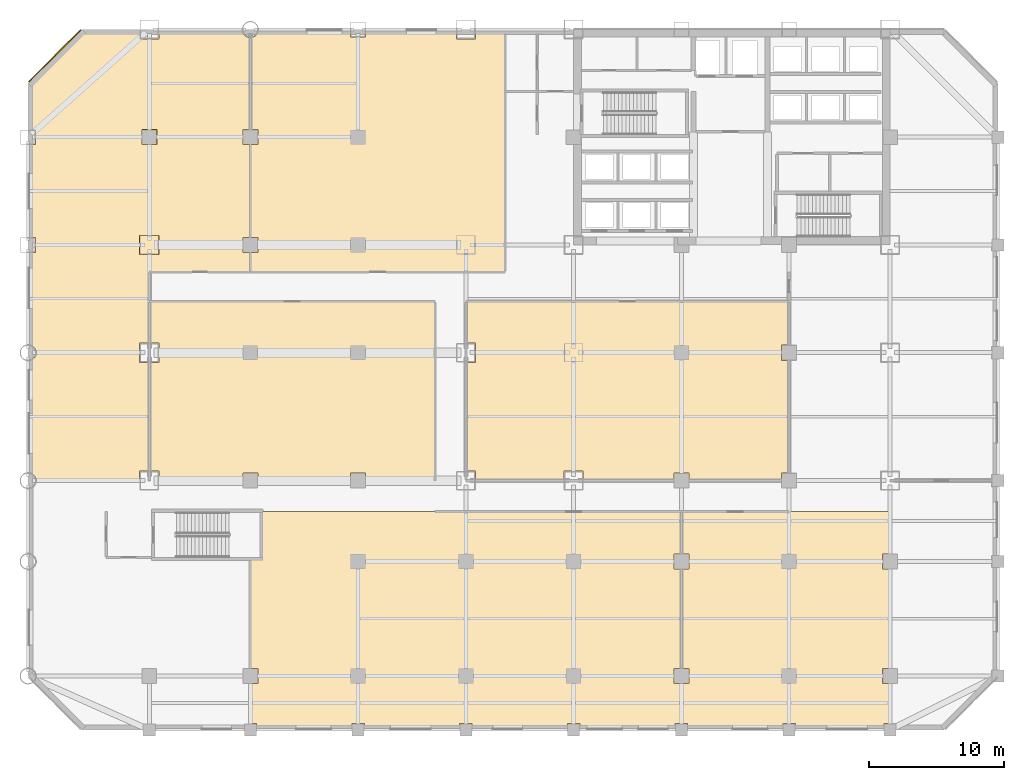
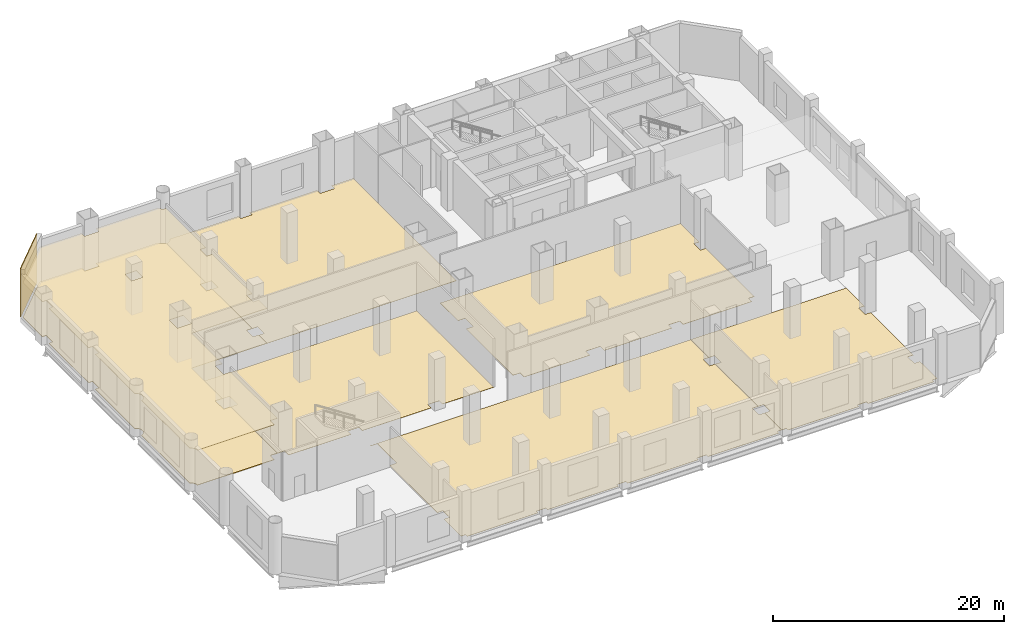
# One storey, part 8 of 10: 8 coverings.
"""IFC4 building model written with IfcOpenShell, lengths in metres."""

import ifcopenshell
import ifcopenshell.guid

model = None  # the IFC model being written
_history = None  # IfcOwnerHistory: only IFC2X3 demands one
_inside = {}  # id of a spatial element -> (the spatial element, [elements in it])
_under = {}  # id of a project, library or spatial element -> (it, [spatial elements below it])
_declared = {}  # id of a project -> (the project, [libraries it declares])
_typed = {}  # id of a type object -> (the type object, [elements of that type])
_made_of = {}  # id of a material, layer set ... -> (it, [elements and type objects made of it])


def new_model(schema):
    """Start an empty IFC model of exactly this schema.

    Asked for "IFC4X3", IfcOpenShell would pick the latest addendum, in which some entities
    have other attributes; the version numbers below select the first issue.
    IFC2X3 requires an IfcOwnerHistory on every rooted entity: one is made here for all.
    """
    global model, _history
    if schema == "IFC4X3":
        model = ifcopenshell.file(schema_version=(4, 3, 0, 0))
    else:
        model = ifcopenshell.file(schema=schema)
    _inside.clear()
    _under.clear()
    _declared.clear()
    _typed.clear()
    _made_of.clear()
    _history = None
    if model.schema == "IFC2X3":
        org = make("IfcOrganization", Name="unknown")
        user = make(
            "IfcPersonAndOrganization",
            ThePerson=make("IfcPerson", FamilyName="unknown"),
            TheOrganization=org,
        )
        app = make(
            "IfcApplication",
            ApplicationDeveloper=org,
            Version="unknown",
            ApplicationFullName="unknown",
            ApplicationIdentifier="unknown",
        )
        _history = make(
            "IfcOwnerHistory",
            OwningUser=user,
            OwningApplication=app,
            ChangeAction="ADDED",
            CreationDate=0,
        )
    return model


def make(cls, **values):
    """One entity of the class cls with the attributes given. An attribute that is None is left unset."""
    return model.create_entity(
        cls, **{name: value for name, value in values.items() if value is not None}
    )


def rooted(cls, **values):
    """An entity with a GlobalId (a new one), such as an element, a storey or a relation."""
    return make(cls, GlobalId=ifcopenshell.guid.new(), OwnerHistory=_history, **values)


def si_unit(unit_type, name, prefix=None):
    """IfcSIUnit, for example si_unit("LENGTHUNIT", "METRE", prefix="MILLI")."""
    return make("IfcSIUnit", UnitType=unit_type, Prefix=prefix, Name=name)


def assignment(units):
    """IfcUnitAssignment: the units of a project."""
    return None if units is None else make("IfcUnitAssignment", Units=units)


def point(xyz):
    """IfcCartesianPoint."""
    return None if xyz is None else make("IfcCartesianPoint", Coordinates=xyz)


def direction(xyz):
    """IfcDirection."""
    return None if xyz is None else make("IfcDirection", DirectionRatios=xyz)


def frame(location, z_axis=None, x_axis=None):
    """IfcAxis2Placement3D, a coordinate frame: its origin and axes. An axis left out is left unset."""
    return make(
        "IfcAxis2Placement3D",
        Location=point(location),
        Axis=direction(z_axis),
        RefDirection=direction(x_axis),
    )


def frame_2d(location, x_axis=None):
    """IfcAxis2Placement2D, a coordinate frame in the plane: its origin and x axis."""
    return make(
        "IfcAxis2Placement2D", Location=point(location), RefDirection=direction(x_axis)
    )


def origin():
    """The frame at (0, 0, 0) with its axes left unset."""
    return frame((0.0, 0.0, 0.0))


def origin_2d():
    """The frame at (0, 0) in the plane with its x axis left unset."""
    return frame_2d((0.0, 0.0))


def place(relative_to, where):
    """IfcLocalPlacement: puts the frame where relative to a parent placement (None: the world)."""
    return make(
        "IfcLocalPlacement", PlacementRelTo=relative_to, RelativePlacement=where
    )


def context(
    kind, dimensions, precision=None, world=None, true_north=None, identifier=None
):
    """IfcGeometricRepresentationContext, for example the 3D "Model" context."""
    return make(
        "IfcGeometricRepresentationContext",
        ContextIdentifier=identifier,
        ContextType=kind,
        CoordinateSpaceDimension=dimensions,
        Precision=precision,
        WorldCoordinateSystem=world,
        TrueNorth=true_north,
    )


def subcontext(parent, identifier, kind, view, scale=None):
    """IfcGeometricRepresentationSubContext, for example "Body" below "Model"."""
    return make(
        "IfcGeometricRepresentationSubContext",
        ContextIdentifier=identifier,
        ContextType=kind,
        ParentContext=parent,
        TargetScale=scale,
        TargetView=view,
    )


def project(units=None, contexts=None):
    """IfcProject with its units and contexts."""
    return rooted(
        "IfcProject",
        Name="project",
        RepresentationContexts=contexts,
        UnitsInContext=assignment(units),
    )


def spatial(cls, under=None, at=None, **own):
    """A site, building, storey or space (cls), placed at a placement, below another one or the project."""
    s = rooted(cls, ObjectPlacement=at, **own)
    if under is not None:
        _under.setdefault(under.id(), (under, []))[1].append(s)
    return s


def polyline(points):
    """IfcPolyline through the points."""
    return make("IfcPolyline", Points=[point(p) for p in points])


def profile(cls, at=None, kind="AREA", **sizes):
    """A parametric profile (cls). Its sizes go by their IFC names, for example OverallWidth=200.0."""
    return make(cls, ProfileType=kind, Position=at, **sizes)


def rectangle(**sizes):
    """IfcRectangleProfileDef."""
    return profile("IfcRectangleProfileDef", **sizes)


def outline(outer, holes=None, kind="AREA"):
    """IfcArbitraryClosedProfileDef: a profile drawn as a closed curve; with holes, ...WithVoids."""
    if holes is None:
        return make("IfcArbitraryClosedProfileDef", ProfileType=kind, OuterCurve=outer)
    return make(
        "IfcArbitraryProfileDefWithVoids",
        ProfileType=kind,
        OuterCurve=outer,
        InnerCurves=holes,
    )


def extrude(swept, where, along, depth):
    """IfcExtrudedAreaSolid: the profile swept, set in the frame where, extruded along a direction by depth."""
    return make(
        "IfcExtrudedAreaSolid",
        SweptArea=swept,
        Position=where,
        ExtrudedDirection=direction(along),
        Depth=depth,
    )


def shape(context_of_items, identifier, shape_type, items):
    """IfcShapeRepresentation: the items that make up one representation, for example the "Body"."""
    return make(
        "IfcShapeRepresentation",
        ContextOfItems=context_of_items,
        RepresentationIdentifier=identifier,
        RepresentationType=shape_type,
        Items=items,
    )


def material(Name=None, Category=None):
    """IfcMaterial."""
    return make("IfcMaterial", Name=Name, Category=Category)


def layer(
    of_material, thickness, ventilated=None, Name=None, Category=None, Priority=None
):
    """IfcMaterialLayer: one layer of a wall or slab, of a material (None: an air gap)."""
    return make(
        "IfcMaterialLayer",
        Material=of_material,
        LayerThickness=thickness,
        IsVentilated=ventilated,
        Name=Name,
        Category=Category,
        Priority=Priority,
    )


def layer_set(layers, Name=None):
    """IfcMaterialLayerSet."""
    return make("IfcMaterialLayerSet", MaterialLayers=layers, LayerSetName=Name)


def made_of(thing, what):
    """Note that an element or type object is made of a material, layer set ...; save() writes the relation."""
    if what is not None:
        _made_of.setdefault(what.id(), (what, []))[1].append(thing)
    return thing


def type_object(cls, material=None, **own):
    """A type object (cls), such as IfcWallType, which elements share."""
    return made_of(rooted(cls, **own), material)


def element(
    cls,
    number,
    at=None,
    inside=None,
    cuts=None,
    type_object=None,
    material=None,
    context=None,
    identifier="Body",
    shape_type=None,
    held_by="IfcProductDefinitionShape",
    body=None,
    shapes=None,
    **own,
):
    """One element of the class cls, such as IfcWall. Its Tag is "e" and its number.

    at: its placement. inside: the storey or other place that contains it. cuts: it is an
    opening in that element (IfcRelVoidsElement). A single representation is given by context,
    identifier, shape_type and body (its items); several are given by shapes. held_by: the class
    of the entity that holds the representations. save() writes the other relations.
    """
    e = rooted(cls, Tag="e%d" % number, ObjectPlacement=at, **own)
    if body is not None:
        shapes = [shape(context, identifier, shape_type, body)]
    if shapes is not None:
        e.Representation = make(held_by, Representations=shapes)
    if inside is not None:
        _inside.setdefault(inside.id(), (inside, []))[1].append(e)
    if cuts is not None:
        rooted(
            "IfcRelVoidsElement", RelatingBuildingElement=cuts, RelatedOpeningElement=e
        )
    if type_object is not None:
        _typed.setdefault(type_object.id(), (type_object, []))[1].append(e)
    return made_of(e, material)


def aggregate(whole, parts):
    """IfcRelAggregates: a whole, such as a stair, and the parts it consists of."""
    return rooted("IfcRelAggregates", RelatingObject=whole, RelatedObjects=parts)


def save(model, path):
    """Write the relations noted so far, then the file.

    IfcRelAggregates (storeys below a building ...), IfcRelContainedInSpatialStructure (elements
    in a storey), IfcRelDefinesByType, IfcRelAssociatesMaterial and IfcRelDeclares: one each for
    every whole, place, type object, material and project.
    """
    for whole, parts in _under.values():
        aggregate(whole, parts)
    for where, things in _inside.values():
        rooted(
            "IfcRelContainedInSpatialStructure",
            RelatedElements=things,
            RelatingStructure=where,
        )
    for kind, things in _typed.values():
        rooted("IfcRelDefinesByType", RelatedObjects=things, RelatingType=kind)
    for what, things in _made_of.values():
        rooted("IfcRelAssociatesMaterial", RelatedObjects=things, RelatingMaterial=what)
    for by, libraries in _declared.values():
        rooted("IfcRelDeclares", RelatingContext=by, RelatedDefinitions=libraries)
    model.write(path)


model = new_model("IFC4")

# Units and contexts
model_context = context("Model", 3, precision=1e-05, world=origin(), true_north=direction((0.0, 1.0)))
body_context = subcontext(model_context, "Body", "Model", "MODEL_VIEW")
ifc_project = project(units=[si_unit("LENGTHUNIT", "METRE"), si_unit("AREAUNIT", "SQUARE_METRE"), si_unit("VOLUMEUNIT", "CUBIC_METRE"), si_unit("PLANEANGLEUNIT", "RADIAN"), si_unit("MASSUNIT", "GRAM", prefix="KILO")], contexts=[model_context])

# Site, building, storey
site_placement = place(None, origin())
site = spatial("IfcSite", under=ifc_project, at=site_placement, CompositionType="ELEMENT")
building_placement = place(site_placement, origin())
building = spatial("IfcBuilding", under=site, at=building_placement, Name="Qianrong Seaharbour Tower", CompositionType="ELEMENT")
storey_placement = place(building_placement, frame((0.0, 0.0, 17.39990234375)))
storey = spatial("IfcBuildingStorey", under=building, at=storey_placement, Name="L04", CompositionType="ELEMENT", Elevation=17.39990234375)

# Coverings
ifc_material_1 = material(Name="Mineral fibre acoustic suspended ceiling board")
ifc_layer_1 = layer(ifc_material_1, 0.0400390625)
ifc_layer_set_1 = layer_set([ifc_layer_1], Name="Mineral fibre acoustic suspended ceiling board")
covering_type_1 = type_object("IfcCoveringType", Name="COV-CEIL-ACOUSTIC-40", PredefinedType="CEILING", material=ifc_layer_set_1)
covering_1_placement = place(storey_placement, frame((0.0, 0.0, 3.68017578125)))
element("IfcCovering", 1, at=covering_1_placement, inside=storey, type_object=covering_type_1, Name="L04 Academy Faculty Open-Plan Office Acoustic Ceiling", PredefinedType="CEILING", context=body_context, shape_type="SweptSolid", body=[
    extrude(outline(polyline([(0.18505859375, 27.421630859375), (0.2333984375, 27.436279296875), (0.3388671875, 27.492919921875), (0.431396484375, 27.568603515625), (0.507080078125, 27.6611328125), (0.563720703125, 27.7666015625), (0.598388671875, 27.881103515625), (0.610107421875, 28.0), (0.598388671875, 28.118896484375), (0.563720703125, 28.2333984375), (0.507080078125, 28.3388671875), (0.431396484375, 28.431396484375), (0.3388671875, 28.507080078125), (0.2333984375, 28.563720703125), (0.18505859375, 28.578369140625), (0.18505859375, 35.43994140625), (0.56005859375, 35.43994140625), (0.56005859375, 36.56005859375), (0.18505859375, 36.56005859375), (0.18505859375, 43.43994140625), (0.56005859375, 43.43994140625), (0.56005859375, 44.56005859375), (0.18505859375, 44.56005859375), (0.18505859375, 47.92333984375), (4.07666015625, 51.81494140625), (8.2900390625, 51.81494140625), (8.2900390625, 51.2900390625), (9.7099609375, 51.2900390625), (9.7099609375, 51.81494140625), (15.921630859375, 51.81494140625), (15.936279296875, 51.7666015625), (15.992919921875, 51.6611328125), (16.068603515625, 51.568603515625), (16.1611328125, 51.492919921875), (16.2666015625, 51.436279296875), (16.381103515625, 51.401611328125), (16.5, 51.389892578125), (16.5, 44.56005859375), (15.93994140625, 44.56005859375), (15.93994140625, 43.43994140625), (16.5, 43.43994140625), (16.5, 36.56005859375), (15.93994140625, 36.56005859375), (15.93994140625, 35.43994140625), (16.5, 35.43994140625), (16.5, 34.0), (9.0, 34.0), (9.0, 28.7099609375), (8.2900390625, 28.7099609375), (8.2900390625, 27.2900390625), (9.0, 27.2900390625), (9.0, 19.2099609375), (8.2900390625, 19.2099609375), (8.2900390625, 18.5), (0.610107421875, 18.5), (0.598388671875, 18.618896484375), (0.563720703125, 18.7333984375), (0.507080078125, 18.8388671875), (0.431396484375, 18.931396484375), (0.3388671875, 19.007080078125), (0.2333984375, 19.063720703125), (0.18505859375, 19.078369140625), (0.18505859375, 27.421630859375)]), holes=[polyline([(8.2900390625, 35.2900390625), (9.7099609375, 35.2900390625), (9.7099609375, 36.7099609375), (8.2900390625, 36.7099609375), (8.2900390625, 35.2900390625)]), polyline([(8.43994140625, 43.43994140625), (9.56005859375, 43.43994140625), (9.56005859375, 44.56005859375), (8.43994140625, 44.56005859375), (8.43994140625, 43.43994140625)])]), origin(), (0.0, 0.0, 1.0), 0.0400390625),
])
ifc_material_2 = material(Name="Unitised red brick cladding on Precast concrete C45/55", Category="masonry")
ifc_layer_2 = layer(ifc_material_2, 0.080078125)
ifc_layer_set_2 = layer_set([ifc_layer_2], Name="Unitised red brick cladding on Precast concrete C45/55")
covering_type_2 = type_object("IfcCoveringType", Name="COV-CLAD-RED-BRICK-80", PredefinedType="CLADDING", material=ifc_layer_set_2)
covering_2_placement = place(storey_placement, frame((1.9716796875, 50.0283203125, 0.0), z_axis=(0.0, 0.0, 1.0), x_axis=(0.707106781187, 0.707106781187, 0.0)))
element("IfcCovering", 2, at=covering_2_placement, inside=storey, type_object=covering_type_2, Name="L04 Chamfer Corner Brick Cladding 01", PredefinedType="CLADDING", context=body_context, shape_type="SweptSolid", body=[
    extrude(rectangle(XDim=5.456787109375, YDim=0.080078125, at=origin_2d()), origin(), (0.0, 0.0, 1.0), 5.139892578125),
])
ifc_material_3 = material(Name="Acoustic modular carpet tile flooring")
ifc_layer_3 = layer(ifc_material_3, 0.02001953125)
ifc_layer_set_3 = layer_set([ifc_layer_3], Name="Acoustic modular carpet tile flooring")
covering_type_3 = type_object("IfcCoveringType", Name="COV-FLOOR-CARPET-20", PredefinedType="FLOORING", material=ifc_layer_set_3)
covering_3_placement = place(storey_placement, origin())
element("IfcCovering", 3, at=covering_3_placement, inside=storey, type_object=covering_type_3, Name="L04 Training Classroom Finish Flooring", PredefinedType="FLOORING", context=body_context, shape_type="SweptSolid", body=[
    extrude(outline(polyline([(56.5, 31.800048828125), (56.5, 28.56005859375), (55.93994140625, 28.56005859375), (55.93994140625, 27.43994140625), (56.5, 27.43994140625), (56.5, 19.06005859375), (55.93994140625, 19.06005859375), (55.93994140625, 18.5), (49.06005859375, 18.5), (49.06005859375, 19.06005859375), (47.93994140625, 19.06005859375), (47.93994140625, 18.5), (41.2099609375, 18.5), (41.2099609375, 19.2099609375), (39.7900390625, 19.2099609375), (39.7900390625, 18.5), (33.2099609375, 18.5), (33.2099609375, 19.2099609375), (32.5, 19.2099609375), (32.5, 27.2900390625), (33.2099609375, 27.2900390625), (33.2099609375, 28.7099609375), (32.5, 28.7099609375), (32.5, 31.800048828125), (56.5, 31.800048828125)])), origin(), (0.0, 0.0, 1.0), 0.02001953125),
])
covering_4_placement = place(storey_placement, origin())
element("IfcCovering", 4, at=covering_4_placement, inside=storey, type_object=covering_type_3, Name="L04 Symposium Room Finish Flooring", PredefinedType="FLOORING", context=body_context, shape_type="SweptSolid", body=[
    extrude(outline(polyline([(30.199951171875, 31.800048828125), (30.199951171875, 18.5), (25.06005859375, 18.5), (25.06005859375, 19.06005859375), (23.93994140625, 19.06005859375), (23.93994140625, 18.5), (17.06005859375, 18.5), (17.06005859375, 19.06005859375), (15.93994140625, 19.06005859375), (15.93994140625, 18.5), (9.7099609375, 18.5), (9.7099609375, 19.2099609375), (9.0, 19.2099609375), (9.0, 27.2900390625), (9.7099609375, 27.2900390625), (9.7099609375, 28.7099609375), (9.0, 28.7099609375), (9.0, 31.800048828125), (30.199951171875, 31.800048828125)])), origin(), (0.0, 0.0, 1.0), 0.02001953125),
])
covering_5_placement = place(storey_placement, origin())
element("IfcCovering", 5, at=covering_5_placement, inside=storey, type_object=covering_type_3, Name="L04 Navigation Simulation Laboratory Finish Flooring", PredefinedType="FLOORING", context=body_context, shape_type="SweptSolid", body=[
    extrude(outline(polyline([(16.5, 35.43994140625), (17.06005859375, 35.43994140625), (17.06005859375, 36.56005859375), (16.5, 36.56005859375), (16.5, 43.43994140625), (17.06005859375, 43.43994140625), (17.06005859375, 44.56005859375), (16.5, 44.56005859375), (16.5, 51.389892578125), (16.618896484375, 51.401611328125), (16.7333984375, 51.436279296875), (16.8388671875, 51.492919921875), (16.931396484375, 51.568603515625), (17.007080078125, 51.6611328125), (17.063720703125, 51.7666015625), (17.078369140625, 51.81494140625), (23.93994140625, 51.81494140625), (23.93994140625, 51.43994140625), (25.06005859375, 51.43994140625), (25.06005859375, 51.81494140625), (31.7900390625, 51.81494140625), (31.7900390625, 51.2900390625), (33.2099609375, 51.2900390625), (33.2099609375, 51.81494140625), (35.39990234375, 51.81494140625), (35.39990234375, 34.0), (16.5, 34.0), (16.5, 35.43994140625)])), origin(), (0.0, 0.0, 1.0), 0.02001953125),
])
covering_6_placement = place(storey_placement, origin())
element("IfcCovering", 6, at=covering_6_placement, inside=storey, type_object=covering_type_3, Name="L04 Maritime Law Seminar Room Finish Flooring", PredefinedType="FLOORING", context=body_context, shape_type="SweptSolid", body=[
    extrude(outline(polyline([(48.5, 13.06005859375), (47.93994140625, 13.06005859375), (47.93994140625, 11.93994140625), (48.5, 11.93994140625), (48.5, 4.56005859375), (47.93994140625, 4.56005859375), (47.93994140625, 3.43994140625), (48.5, 3.43994140625), (48.5, 0.4599609375), (48.0400390625, 0.4599609375), (48.0400390625, 0.18505859375), (40.9599609375, 0.18505859375), (40.9599609375, 0.4599609375), (40.0400390625, 0.4599609375), (40.0400390625, 0.18505859375), (32.9599609375, 0.18505859375), (32.9599609375, 0.4599609375), (32.0400390625, 0.4599609375), (32.0400390625, 0.18505859375), (24.9599609375, 0.18505859375), (24.9599609375, 0.4599609375), (24.0400390625, 0.4599609375), (24.0400390625, 0.18505859375), (16.9599609375, 0.18505859375), (16.9599609375, 0.4599609375), (16.5, 0.4599609375), (16.5, 3.43994140625), (17.06005859375, 3.43994140625), (17.06005859375, 4.56005859375), (16.5, 4.56005859375), (16.5, 12.800048828125), (17.199951171875, 12.800048828125), (17.199951171875, 16.14990234375), (16.5, 16.14990234375), (16.5, 16.199951171875), (48.5, 16.199951171875), (48.5, 13.06005859375)])), origin(), (0.0, 0.0, 1.0), 0.02001953125),
])
covering_7_placement = place(storey_placement, origin())
element("IfcCovering", 7, at=covering_7_placement, inside=storey, type_object=covering_type_3, Name="L04 Digital Twin Workshop Studio Finish Flooring", PredefinedType="FLOORING", context=body_context, shape_type="SweptSolid", body=[
    extrude(outline(polyline([(64.0, 13.06005859375), (63.43994140625, 13.06005859375), (63.43994140625, 11.93994140625), (64.0, 11.93994140625), (64.0, 4.56005859375), (63.43994140625, 4.56005859375), (63.43994140625, 3.43994140625), (64.0, 3.43994140625), (64.0, 0.4599609375), (63.5400390625, 0.4599609375), (63.5400390625, 0.18505859375), (56.9599609375, 0.18505859375), (56.9599609375, 0.4599609375), (56.0400390625, 0.4599609375), (56.0400390625, 0.18505859375), (48.9599609375, 0.18505859375), (48.9599609375, 0.4599609375), (48.5, 0.4599609375), (48.5, 3.43994140625), (49.06005859375, 3.43994140625), (49.06005859375, 4.56005859375), (48.5, 4.56005859375), (48.5, 11.93994140625), (49.06005859375, 11.93994140625), (49.06005859375, 13.06005859375), (48.5, 13.06005859375), (48.5, 16.199951171875), (64.0, 16.199951171875), (64.0, 13.06005859375)])), origin(), (0.0, 0.0, 1.0), 0.02001953125),
])
ifc_material_4 = material(Name="Calcium-sulphate raised access floor tile")
ifc_layer_4 = layer(ifc_material_4, 0.044921875)
ifc_layer_set_4 = layer_set([ifc_layer_4], Name="Calcium-sulphate raised access floor tile")
covering_type_4 = type_object("IfcCoveringType", Name="COV-FLOOR-RAISED-45", PredefinedType="FLOORING", material=ifc_layer_set_4)
covering_8_placement = place(storey_placement, origin())
element("IfcCovering", 8, at=covering_8_placement, inside=storey, type_object=covering_type_4, Name="L04 Academy Faculty Open-Plan Office Finish Flooring", PredefinedType="FLOORING", context=body_context, shape_type="SweptSolid", body=[
    extrude(outline(polyline([(0.18505859375, 27.421630859375), (0.2333984375, 27.436279296875), (0.3388671875, 27.492919921875), (0.431396484375, 27.568603515625), (0.507080078125, 27.6611328125), (0.563720703125, 27.7666015625), (0.598388671875, 27.881103515625), (0.610107421875, 28.0), (0.598388671875, 28.118896484375), (0.563720703125, 28.2333984375), (0.507080078125, 28.3388671875), (0.431396484375, 28.431396484375), (0.3388671875, 28.507080078125), (0.2333984375, 28.563720703125), (0.18505859375, 28.578369140625), (0.18505859375, 35.43994140625), (0.56005859375, 35.43994140625), (0.56005859375, 36.56005859375), (0.18505859375, 36.56005859375), (0.18505859375, 43.43994140625), (0.56005859375, 43.43994140625), (0.56005859375, 44.56005859375), (0.18505859375, 44.56005859375), (0.18505859375, 47.92333984375), (4.07666015625, 51.81494140625), (8.2900390625, 51.81494140625), (8.2900390625, 51.2900390625), (9.7099609375, 51.2900390625), (9.7099609375, 51.81494140625), (15.921630859375, 51.81494140625), (15.936279296875, 51.7666015625), (15.992919921875, 51.6611328125), (16.068603515625, 51.568603515625), (16.1611328125, 51.492919921875), (16.2666015625, 51.436279296875), (16.381103515625, 51.401611328125), (16.5, 51.389892578125), (16.5, 44.56005859375), (15.93994140625, 44.56005859375), (15.93994140625, 43.43994140625), (16.5, 43.43994140625), (16.5, 36.56005859375), (15.93994140625, 36.56005859375), (15.93994140625, 35.43994140625), (16.5, 35.43994140625), (16.5, 34.0), (9.0, 34.0), (9.0, 28.7099609375), (8.2900390625, 28.7099609375), (8.2900390625, 27.2900390625), (9.0, 27.2900390625), (9.0, 19.2099609375), (8.2900390625, 19.2099609375), (8.2900390625, 18.5), (0.610107421875, 18.5), (0.598388671875, 18.618896484375), (0.563720703125, 18.7333984375), (0.507080078125, 18.8388671875), (0.431396484375, 18.931396484375), (0.3388671875, 19.007080078125), (0.2333984375, 19.063720703125), (0.18505859375, 19.078369140625), (0.18505859375, 27.421630859375)])), origin(), (0.0, 0.0, 1.0), 0.045166015625),
])

save(model, "model.ifc")
